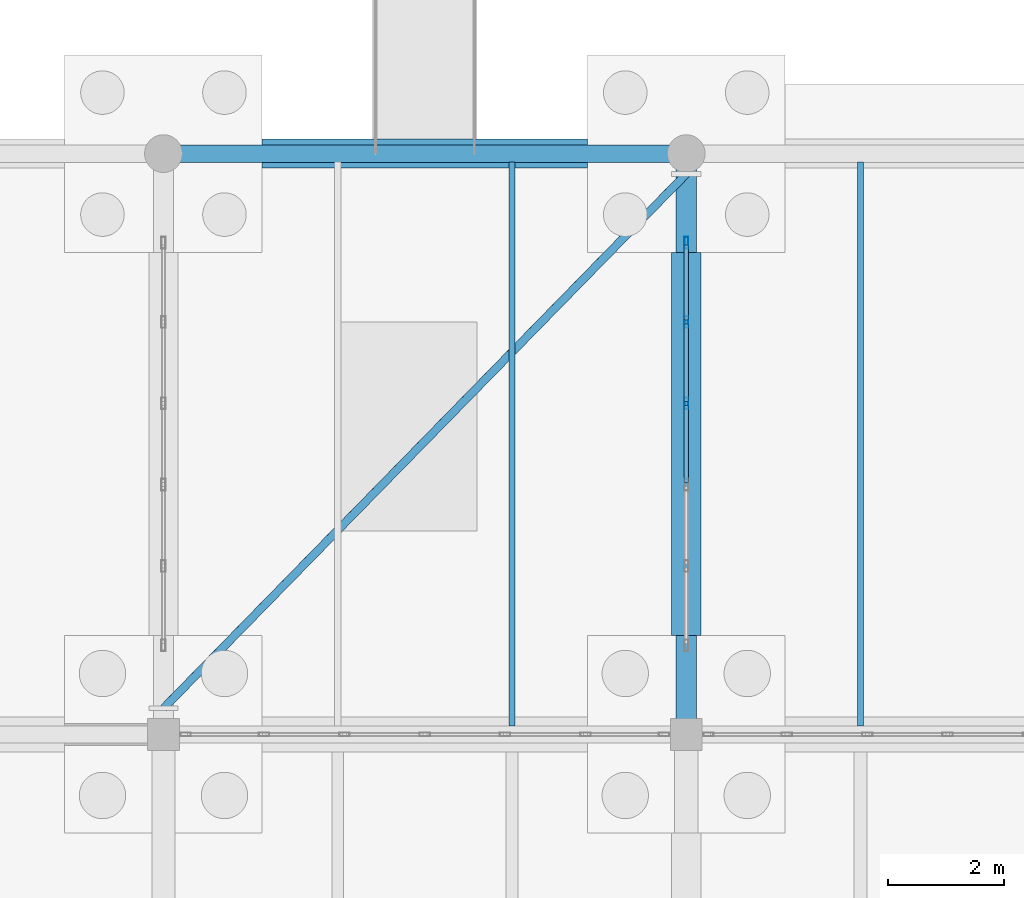
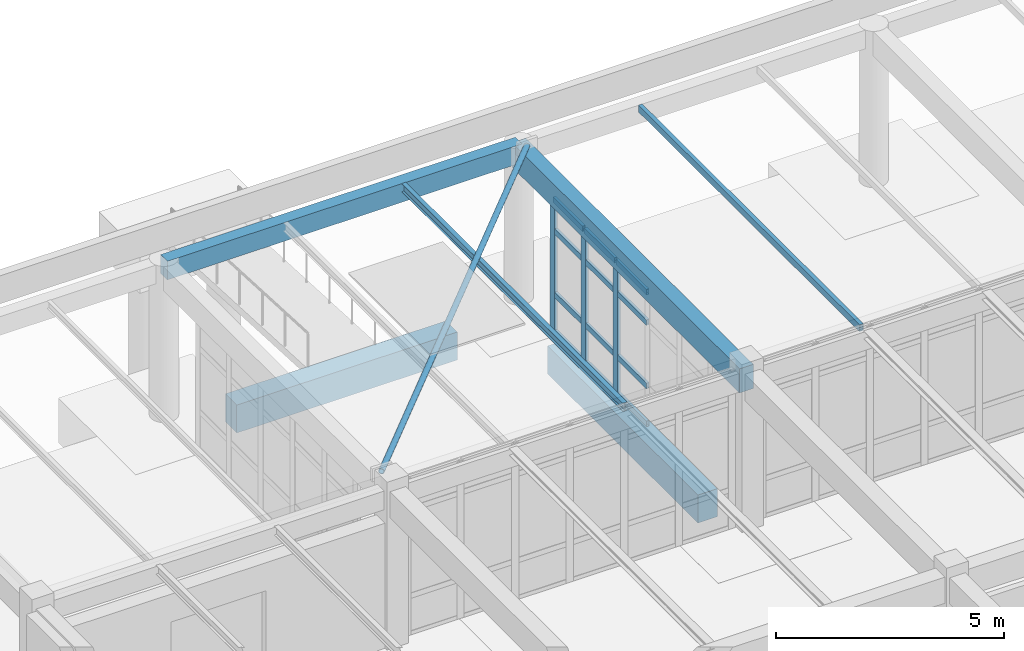
# One storey, part 70 of 186: 16 members, 6 beams, 1 element without a shape of its own.
"""IFC4 building model written with IfcOpenShell, lengths in metres."""

from ifc_helpers import new_model, si_unit, direction, frame, origin, origin_2d, place, context, subcontext, project, spatial, rectangle, hollow_rectangle, hollow_circle, i_section, extrude, material, layer, layer_set, material_profile, profile_set, type_object, element, aggregate, save


model = new_model("IFC4")

# Units and contexts
model_context = context("Model", 3, precision=1e-05, world=origin(), true_north=direction((0.0, 1.0)))
body_context = subcontext(model_context, "Body", "Model", "MODEL_VIEW")
ifc_project = project(units=[si_unit("LENGTHUNIT", "METRE"), si_unit("AREAUNIT", "SQUARE_METRE"), si_unit("VOLUMEUNIT", "CUBIC_METRE"), si_unit("PLANEANGLEUNIT", "RADIAN"), si_unit("MASSUNIT", "GRAM", prefix="KILO")], contexts=[model_context])

# Site, building, storey
site_placement = place(None, origin())
site = spatial("IfcSite", under=ifc_project, at=site_placement, CompositionType="ELEMENT")
building_placement = place(site_placement, origin())
building = spatial("IfcBuilding", under=site, at=building_placement, Name="Ornek Quay Market", CompositionType="ELEMENT")
storey_placement = place(building_placement, origin())
storey = spatial("IfcBuildingStorey", under=building, at=storey_placement, Name="L00", CompositionType="ELEMENT", Elevation=0.0)

# Beams
ifc_material_1 = material(Name="Concrete C35/45", Category="concrete")
ifc_material_profile_1 = material_profile(ifc_material_1, rectangle(XDim=0.35009765625, YDim=0.64990234375, at=origin_2d()), Name="RC 350x650", Category="concrete")
ifc_profile_set_1 = profile_set([ifc_material_profile_1], Name="Concrete C35/45")
beam_type_1 = type_object("IfcBeamType", Name="BM-CONC-350x650", PredefinedType="BEAM", material=ifc_profile_set_1)
beam_1_placement = place(storey_placement, frame((18.0, 110.0, 3.864990234375), z_axis=(0.0, 1.0, 0.0), x_axis=(-1.0, 0.0, 0.0)))
element("IfcBeam", 1, at=beam_1_placement, inside=storey, type_object=beam_type_1, Name="Primary beam B-CN1-003", PredefinedType="BEAM", context=body_context, shape_type="SweptSolid", body=[
    extrude(rectangle(XDim=0.35009765625, YDim=0.64990234375, at=origin_2d()), origin(), (0.0, 0.0, 1.0), 10.0),
])
ifc_material_profile_2 = material_profile(ifc_material_1, rectangle(XDim=0.5, YDim=0.75, at=origin_2d()), Name="RC 500x750", Category="concrete")
ifc_profile_set_2 = profile_set([ifc_material_profile_2], Name="Concrete C35/45")
beam_type_2 = type_object("IfcBeamType", Name="BM-GB-500x750", PredefinedType="BEAM", material=ifc_profile_set_2)
beam_2_placement = place(storey_placement, frame((10.699951171875, 120.0, -0.574951171875), z_axis=(1.0, 0.0, 0.0), x_axis=(0.0, 1.0, 0.0)))
element("IfcBeam", 2, at=beam_2_placement, inside=storey, type_object=beam_type_2, Name="Ground tie beam GB-049", PredefinedType="BEAM", context=body_context, shape_type="SweptSolid", body=[
    extrude(rectangle(XDim=0.5, YDim=0.75, at=origin_2d()), origin(), (0.0, 0.0, 1.0), 5.60009765625),
])
beam_3_placement = place(storey_placement, frame((18.0, 111.699951171875, -0.574951171875), z_axis=(0.0, 1.0, 0.0), x_axis=(-1.0, 0.0, 0.0)))
element("IfcBeam", 3, at=beam_3_placement, inside=storey, type_object=beam_type_2, Name="Ground tie beam GB-076", PredefinedType="BEAM", context=body_context, shape_type="SweptSolid", body=[
    extrude(rectangle(XDim=0.5, YDim=0.75, at=origin_2d()), origin(), (0.0, 0.0, 1.0), 6.60009765625),
])
ifc_material_2 = material(Name="Steel S355", Category="steel")
ifc_material_profile_3 = material_profile(ifc_material_2, hollow_rectangle(XDim=0.10009765625, YDim=0.179931640625, WallThickness=0.008056640625, at=origin_2d()), Name="RHS 180x100x8", Category="steel")
ifc_profile_set_3 = profile_set([ifc_material_profile_3], Name="Steel S355")
beam_type_3 = type_object("IfcBeamType", Name="BM-RHS-RHS180x100x8", PredefinedType="BEAM", material=ifc_profile_set_3)
beam_4_placement = place(storey_placement, frame((21.0, 110.14208984375, 4.10009765625), z_axis=(0.0, 1.0, 0.0), x_axis=(-1.0, 0.0, 0.0)))
element("IfcBeam", 4, at=beam_4_placement, inside=storey, type_object=beam_type_3, Name="Secondary joist SR-03-001", PredefinedType="BEAM", context=body_context, shape_type="SweptSolid", body=[
    extrude(hollow_rectangle(XDim=0.10009765625, YDim=0.179931640625, WallThickness=0.008056640625, at=origin_2d()), origin(), (0.0, 0.0, 1.0), 9.7158203125),
])
ifc_material_profile_4 = material_profile(ifc_material_2, i_section(OverallWidth=0.110107421875, OverallDepth=0.219970703125, WebThickness=0.005859375, FlangeThickness=0.00927734375, FilletRadius=0.011962890625, at=origin_2d()), Name="IPE 220", Category="steel")
ifc_profile_set_4 = profile_set([ifc_material_profile_4], Name="Steel S355")
beam_type_4 = type_object("IfcBeamType", Name="BM-STL-IPE220", PredefinedType="JOIST", material=ifc_profile_set_4)
beam_5_placement = place(storey_placement, frame((15.0, 110.14208984375, 4.080078125), z_axis=(0.0, 1.0, 0.0), x_axis=(-1.0, 0.0, 0.0)))
element("IfcBeam", 5, at=beam_5_placement, inside=storey, type_object=beam_type_4, Name="Secondary joist SB-03-002", PredefinedType="JOIST", context=body_context, shape_type="SweptSolid", body=[
    extrude(i_section(OverallWidth=0.110107421875, OverallDepth=0.219970703125, WebThickness=0.005859375, FlangeThickness=0.00927734375, FilletRadius=0.011962890625, at=origin_2d()), origin(), (0.0, 0.0, 1.0), 9.7158203125),
])
ifc_material_3 = material(Name="Concrete C40/50", Category="concrete")
ifc_material_profile_5 = material_profile(ifc_material_3, rectangle(XDim=0.300048828125, YDim=0.5, at=origin_2d()), Name="RC 300x500", Category="concrete")
ifc_profile_set_5 = profile_set([ifc_material_profile_5], Name="Concrete C40/50")
beam_type_5 = type_object("IfcBeamType", Name="BM-UMB-RIM-300x500", PredefinedType="SPANDREL", material=ifc_profile_set_5)
beam_6_placement = place(storey_placement, frame((9.0, 120.0, 3.93994140625), z_axis=(1.0, 0.0, 0.0), x_axis=(0.0, 1.0, 0.0)))
element("IfcBeam", 6, at=beam_6_placement, inside=storey, type_object=beam_type_5, Name="Primary beam B-UMR-008", PredefinedType="SPANDREL", context=body_context, shape_type="SweptSolid", body=[
    extrude(rectangle(XDim=0.300048828125, YDim=0.5, at=origin_2d()), origin(), (0.0, 0.0, 1.0), 9.0),
])

# Curtain wall, members
ifc_material_4 = material(Name="Anodised bronze aluminium and triple low-e glass", Category="aluminium")
ifc_layer = layer(ifc_material_4, 0.219970703125, Name="Anodised bronze aluminium and triple low-e glass", Category="aluminium")
ifc_layer_set = layer_set([ifc_layer], Name="Anodised bronze aluminium and triple low-e glass")
curtain_wall_type = type_object("IfcCurtainWallType", Name="CW-PORCH-MOD1500", PredefinedType="USERDEFINED", material=ifc_layer_set)
curtain_wall_placement = place(storey_placement, origin())
curtain_wall = element("IfcCurtainWall", 7, at=curtain_wall_placement, inside=storey, type_object=curtain_wall_type, Name="Curtain wall CW-148", ObjectType="CURTAIN WALL", PredefinedType="USERDEFINED")
ifc_material_5 = material(Name="Anodised aluminium 6063-T6", Category="aluminium")
ifc_material_profile_6 = material_profile(ifc_material_5, hollow_rectangle(XDim=0.070068359375, YDim=0.199951171875, WallThickness=0.0048828125, at=origin_2d()), Name="CW-MUL-70x200", Category="aluminium")
ifc_profile_set_6 = profile_set([ifc_material_profile_6], Name="Anodised aluminium 6063-T6")
member_type_1 = type_object("IfcMemberType", Name="CW-MUL-70x200", PredefinedType="MULLION", material=ifc_profile_set_6)
member_1_placement = place(storey_placement, frame((18.0, 115.699951171875, 0.0), z_axis=(0.0, 0.0, 1.0), x_axis=(-1.0, 0.0, 0.0)))
member_1 = element("IfcMember", 8, at=member_1_placement, type_object=member_type_1, Name="CW-148 mullion 4", PredefinedType="MULLION", context=body_context, shape_type="SweptSolid", body=[
    extrude(hollow_rectangle(XDim=0.070068359375, YDim=0.199951171875, WallThickness=0.0048828125, at=origin_2d()), origin(), (0.0, 0.0, 1.0), 3.60009765625),
])
member_2_placement = place(storey_placement, frame((18.0, 117.10009765625, 0.0), z_axis=(0.0, 0.0, 1.0), x_axis=(-1.0, 0.0, 0.0)))
member_2 = element("IfcMember", 9, at=member_2_placement, type_object=member_type_1, Name="CW-148 mullion 5", PredefinedType="MULLION", context=body_context, shape_type="SweptSolid", body=[
    extrude(hollow_rectangle(XDim=0.070068359375, YDim=0.199951171875, WallThickness=0.0048828125, at=origin_2d()), origin(), (0.0, 0.0, 1.0), 3.60009765625),
])
member_3_placement = place(storey_placement, frame((18.0, 118.465087890625, 0.0), z_axis=(0.0, 0.0, 1.0), x_axis=(-1.0, 0.0, 0.0)))
member_3 = element("IfcMember", 10, at=member_3_placement, type_object=member_type_1, Name="CW-148 mullion 6", PredefinedType="MULLION", context=body_context, shape_type="SweptSolid", body=[
    extrude(hollow_rectangle(XDim=0.070068359375, YDim=0.199951171875, WallThickness=0.0048828125, at=origin_2d()), origin(), (0.0, 0.0, 1.0), 3.60009765625),
])
ifc_material_profile_7 = material_profile(ifc_material_5, hollow_rectangle(XDim=0.070068359375, YDim=0.14990234375, WallThickness=0.0048828125, at=origin_2d()), Name="CW-TRN-70x150", Category="aluminium")
ifc_profile_set_7 = profile_set([ifc_material_profile_7], Name="Anodised aluminium 6063-T6")
member_type_2 = type_object("IfcMemberType", Name="CW-TRN-70x150", PredefinedType="USERDEFINED", material=ifc_profile_set_7)
member_4_placement = place(storey_placement, frame((18.0, 114.3349609375, 0.034912109375), z_axis=(0.0, 1.0, 0.0), x_axis=(-1.0, 0.0, 0.0)))
member_4 = element("IfcMember", 11, at=member_4_placement, type_object=member_type_2, Name="CW-148 transom 3.1", ObjectType="TRANSOM", PredefinedType="USERDEFINED", context=body_context, shape_type="SweptSolid", body=[
    extrude(hollow_rectangle(XDim=0.070068359375, YDim=0.14990234375, WallThickness=0.0048828125, at=origin_2d()), origin(), (0.0, 0.0, 1.0), 1.330078125),
])
member_5_placement = place(storey_placement, frame((18.0, 114.3349609375, 1.050048828125), z_axis=(0.0, 1.0, 0.0), x_axis=(-1.0, 0.0, 0.0)))
member_5 = element("IfcMember", 12, at=member_5_placement, type_object=member_type_2, Name="CW-148 transom 3.2", ObjectType="TRANSOM", PredefinedType="USERDEFINED", context=body_context, shape_type="SweptSolid", body=[
    extrude(hollow_rectangle(XDim=0.070068359375, YDim=0.14990234375, WallThickness=0.0048828125, at=origin_2d()), origin(), (0.0, 0.0, 1.0), 1.330078125),
])
member_6_placement = place(storey_placement, frame((18.0, 114.3349609375, 2.75), z_axis=(0.0, 1.0, 0.0), x_axis=(-1.0, 0.0, 0.0)))
member_6 = element("IfcMember", 13, at=member_6_placement, type_object=member_type_2, Name="CW-148 transom 3.3", ObjectType="TRANSOM", PredefinedType="USERDEFINED", context=body_context, shape_type="SweptSolid", body=[
    extrude(hollow_rectangle(XDim=0.070068359375, YDim=0.14990234375, WallThickness=0.0048828125, at=origin_2d()), origin(), (0.0, 0.0, 1.0), 1.330078125),
])
member_7_placement = place(storey_placement, frame((18.0, 114.3349609375, 3.56494140625), z_axis=(0.0, 1.0, 0.0), x_axis=(-1.0, 0.0, 0.0)))
member_7 = element("IfcMember", 14, at=member_7_placement, type_object=member_type_2, Name="CW-148 transom 3.4", ObjectType="TRANSOM", PredefinedType="USERDEFINED", context=body_context, shape_type="SweptSolid", body=[
    extrude(hollow_rectangle(XDim=0.070068359375, YDim=0.14990234375, WallThickness=0.0048828125, at=origin_2d()), origin(), (0.0, 0.0, 1.0), 1.330078125),
])
member_8_placement = place(storey_placement, frame((18.0, 115.735107421875, 0.034912109375), z_axis=(0.0, 1.0, 0.0), x_axis=(-1.0, 0.0, 0.0)))
member_8 = element("IfcMember", 15, at=member_8_placement, type_object=member_type_2, Name="CW-148 transom 4.1", ObjectType="TRANSOM", PredefinedType="USERDEFINED", context=body_context, shape_type="SweptSolid", body=[
    extrude(hollow_rectangle(XDim=0.070068359375, YDim=0.14990234375, WallThickness=0.0048828125, at=origin_2d()), origin(), (0.0, 0.0, 1.0), 1.329833984375),
])
member_9_placement = place(storey_placement, frame((18.0, 115.735107421875, 1.050048828125), z_axis=(0.0, 1.0, 0.0), x_axis=(-1.0, 0.0, 0.0)))
member_9 = element("IfcMember", 16, at=member_9_placement, type_object=member_type_2, Name="CW-148 transom 4.2", ObjectType="TRANSOM", PredefinedType="USERDEFINED", context=body_context, shape_type="SweptSolid", body=[
    extrude(hollow_rectangle(XDim=0.070068359375, YDim=0.14990234375, WallThickness=0.0048828125, at=origin_2d()), origin(), (0.0, 0.0, 1.0), 1.329833984375),
])
member_10_placement = place(storey_placement, frame((18.0, 115.735107421875, 2.75), z_axis=(0.0, 1.0, 0.0), x_axis=(-1.0, 0.0, 0.0)))
member_10 = element("IfcMember", 17, at=member_10_placement, type_object=member_type_2, Name="CW-148 transom 4.3", ObjectType="TRANSOM", PredefinedType="USERDEFINED", context=body_context, shape_type="SweptSolid", body=[
    extrude(hollow_rectangle(XDim=0.070068359375, YDim=0.14990234375, WallThickness=0.0048828125, at=origin_2d()), origin(), (0.0, 0.0, 1.0), 1.329833984375),
])
member_11_placement = place(storey_placement, frame((18.0, 115.735107421875, 3.56494140625), z_axis=(0.0, 1.0, 0.0), x_axis=(-1.0, 0.0, 0.0)))
member_11 = element("IfcMember", 18, at=member_11_placement, type_object=member_type_2, Name="CW-148 transom 4.4", ObjectType="TRANSOM", PredefinedType="USERDEFINED", context=body_context, shape_type="SweptSolid", body=[
    extrude(hollow_rectangle(XDim=0.070068359375, YDim=0.14990234375, WallThickness=0.0048828125, at=origin_2d()), origin(), (0.0, 0.0, 1.0), 1.329833984375),
])
member_12_placement = place(storey_placement, frame((18.0, 117.135009765625, 0.034912109375), z_axis=(0.0, 1.0, 0.0), x_axis=(-1.0, 0.0, 0.0)))
member_12 = element("IfcMember", 19, at=member_12_placement, type_object=member_type_2, Name="CW-148 transom 5.1", ObjectType="TRANSOM", PredefinedType="USERDEFINED", context=body_context, shape_type="SweptSolid", body=[
    extrude(hollow_rectangle(XDim=0.070068359375, YDim=0.14990234375, WallThickness=0.0048828125, at=origin_2d()), origin(), (0.0, 0.0, 1.0), 1.294921875),
])
member_13_placement = place(storey_placement, frame((18.0, 117.135009765625, 1.050048828125), z_axis=(0.0, 1.0, 0.0), x_axis=(-1.0, 0.0, 0.0)))
member_13 = element("IfcMember", 20, at=member_13_placement, type_object=member_type_2, Name="CW-148 transom 5.2", ObjectType="TRANSOM", PredefinedType="USERDEFINED", context=body_context, shape_type="SweptSolid", body=[
    extrude(hollow_rectangle(XDim=0.070068359375, YDim=0.14990234375, WallThickness=0.0048828125, at=origin_2d()), origin(), (0.0, 0.0, 1.0), 1.294921875),
])
member_14_placement = place(storey_placement, frame((18.0, 117.135009765625, 2.75), z_axis=(0.0, 1.0, 0.0), x_axis=(-1.0, 0.0, 0.0)))
member_14 = element("IfcMember", 21, at=member_14_placement, type_object=member_type_2, Name="CW-148 transom 5.3", ObjectType="TRANSOM", PredefinedType="USERDEFINED", context=body_context, shape_type="SweptSolid", body=[
    extrude(hollow_rectangle(XDim=0.070068359375, YDim=0.14990234375, WallThickness=0.0048828125, at=origin_2d()), origin(), (0.0, 0.0, 1.0), 1.294921875),
])
member_15_placement = place(storey_placement, frame((18.0, 117.135009765625, 3.56494140625), z_axis=(0.0, 1.0, 0.0), x_axis=(-1.0, 0.0, 0.0)))
member_15 = element("IfcMember", 22, at=member_15_placement, type_object=member_type_2, Name="CW-148 transom 5.4", ObjectType="TRANSOM", PredefinedType="USERDEFINED", context=body_context, shape_type="SweptSolid", body=[
    extrude(hollow_rectangle(XDim=0.070068359375, YDim=0.14990234375, WallThickness=0.0048828125, at=origin_2d()), origin(), (0.0, 0.0, 1.0), 1.294921875),
])
aggregate(curtain_wall, [member_1, member_2, member_3, member_4, member_5, member_6, member_7, member_8, member_9, member_10, member_11, member_12, member_13, member_14, member_15])

# Member
ifc_material_profile_8 = material_profile(ifc_material_2, hollow_circle(Radius=0.06982421875, WallThickness=0.008056640625, at=origin_2d()), Name="CHS 139.7x8", Category="steel")
ifc_profile_set_8 = profile_set([ifc_material_profile_8], Name="Steel S355")
member_type_3 = type_object("IfcMemberType", Name="MBR-BRC-CHS139", PredefinedType="BRACE", material=ifc_profile_set_8)
member_16_placement = place(storey_placement, frame((9.0, 110.449951171875, 4.260009765625), z_axis=(0.699296051965, 0.714832170307, 0.0), x_axis=(-0.714832170307, 0.699296051965, 0.0)))
element("IfcMember", 23, at=member_16_placement, inside=storey, type_object=member_type_3, Name="Quay colonnade wind brace QB-01", PredefinedType="BRACE", context=body_context, shape_type="SweptSolid", body=[
    extrude(hollow_circle(Radius=0.06982421875, WallThickness=0.008056640625, at=origin_2d()), origin(), (0.0, 0.0, 1.0), 12.8701171875),
])

save(model, "model.ifc")
